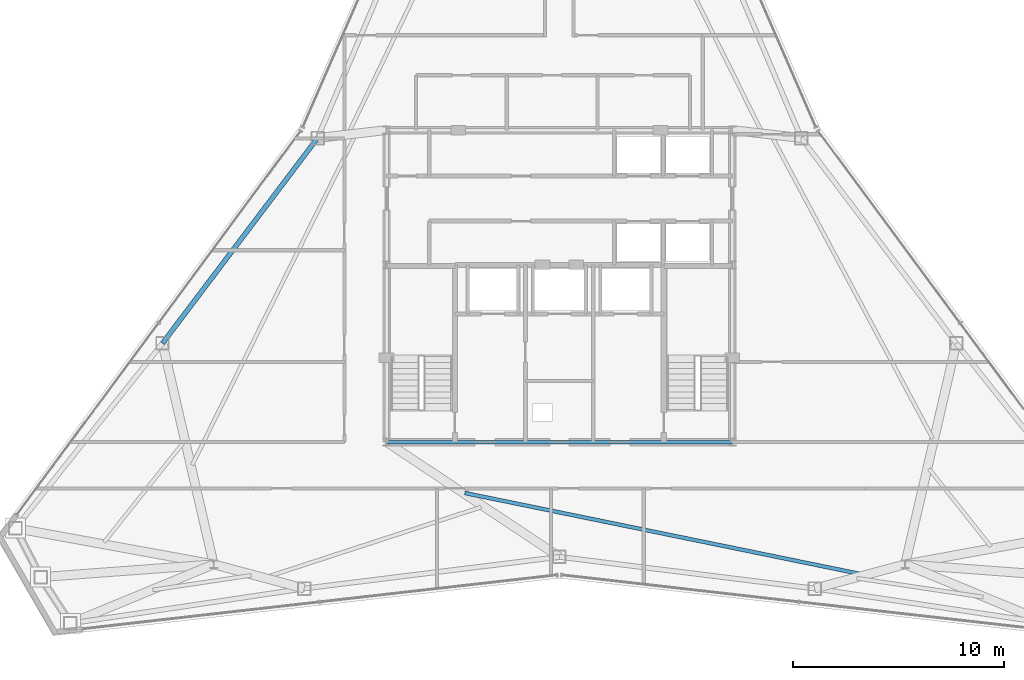
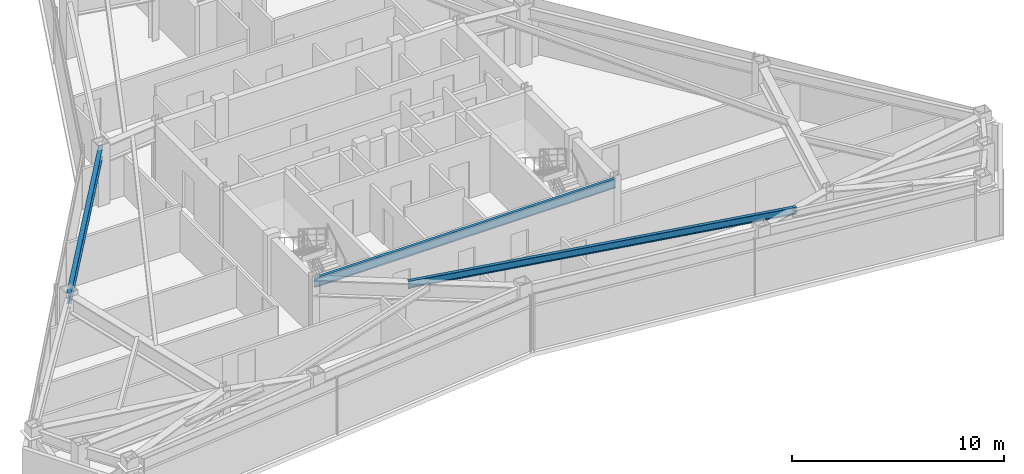
# One storey, part 4 of 11: 3 beams.
"""IFC4 building model written with IfcOpenShell, lengths in metres."""

from ifc_helpers import new_model, si_unit, direction, frame, origin, origin_2d, place, context, subcontext, project, spatial, i_section, extrude, material, material_profile, profile_set, type_object, element, save


model = new_model("IFC4")

# Units and contexts
model_context = context("Model", 3, precision=1e-05, world=origin(), true_north=direction((0.0, 1.0)))
body_context = subcontext(model_context, "Body", "Model", "MODEL_VIEW")
ifc_project = project(units=[si_unit("LENGTHUNIT", "METRE"), si_unit("AREAUNIT", "SQUARE_METRE"), si_unit("VOLUMEUNIT", "CUBIC_METRE"), si_unit("PLANEANGLEUNIT", "RADIAN"), si_unit("MASSUNIT", "GRAM", prefix="KILO")], contexts=[model_context])

# Site, building, storey
site_placement = place(None, origin())
site = spatial("IfcSite", under=ifc_project, at=site_placement, CompositionType="ELEMENT")
building_placement = place(site_placement, origin())
building = spatial("IfcBuilding", under=site, at=building_placement, Name="Varakhsha Concourse Tower", CompositionType="ELEMENT")
storey_placement = place(building_placement, frame((0.0, 0.0, 279.5)))
storey = spatial("IfcBuildingStorey", under=building, at=storey_placement, Name="L79", CompositionType="ELEMENT", Elevation=279.5)

# Beams
ifc_material = material(Name="Structural Steel ASTM A992 Grade 50", Category="steel")
ifc_material_profile_1 = material_profile(ifc_material, i_section(OverallWidth=0.177978515625, OverallDepth=0.406982421875, WebThickness=0.008056640625, FlangeThickness=0.012939453125, at=origin_2d()), Name="W16X40")
ifc_profile_set_1 = profile_set([ifc_material_profile_1], Name="Structural Steel ASTM A992 Grade 50")
beam_type_1 = type_object("IfcBeamType", Name="BM-JST-W16X40", PredefinedType="JOIST", material=ifc_profile_set_1)
beam_1_placement = place(storey_placement, frame((35.515869140625, 13.9814453125, 3.04638671875), z_axis=(0.979703686828, -0.200451206071, 0.0), x_axis=(0.200451206071, 0.979703686828, 0.0)))
element("IfcBeam", 1, at=beam_1_placement, inside=storey, type_object=beam_type_1, Name="BM-TJST-L79-11", PredefinedType="JOIST", context=body_context, shape_type="SweptSolid", body=[
    extrude(i_section(OverallWidth=0.177978515625, OverallDepth=0.406982421875, WebThickness=0.008056640625, FlangeThickness=0.012939453125, at=origin_2d()), origin(), (0.0, 0.0, 1.0), 19.2802734375),
])
ifc_material_profile_2 = material_profile(ifc_material, i_section(OverallWidth=0.1669921875, OverallDepth=0.534912109375, WebThickness=0.010009765625, FlangeThickness=0.01708984375, at=origin_2d()), Name="W21X57")
ifc_profile_set_2 = profile_set([ifc_material_profile_2], Name="Structural Steel ASTM A992 Grade 50")
beam_type_2 = type_object("IfcBeamType", Name="BM-RAD-W21X57", PredefinedType="BEAM", material=ifc_profile_set_2)
beam_2_placement = place(storey_placement, frame((31.800048828125, 16.39990234375, 2.982421875), z_axis=(1.0, 0.0, 0.0), x_axis=(0.0, 1.0, 0.0)))
element("IfcBeam", 2, at=beam_2_placement, inside=storey, type_object=beam_type_2, Name="BM-TCORE-L79-CS", PredefinedType="BEAM", context=body_context, shape_type="SweptSolid", body=[
    extrude(i_section(OverallWidth=0.1669921875, OverallDepth=0.534912109375, WebThickness=0.010009765625, FlangeThickness=0.01708984375, at=origin_2d()), origin(), (0.0, 0.0, 1.0), 16.39990234375),
])
ifc_material_profile_3 = material_profile(ifc_material, i_section(OverallWidth=0.22900390625, OverallDepth=0.612060546875, WebThickness=0.011962890625, FlangeThickness=0.02001953125, at=origin_2d()), Name="W24X84")
ifc_profile_set_3 = profile_set([ifc_material_profile_3], Name="Structural Steel ASTM A992 Grade 50")
beam_type_3 = type_object("IfcBeamType", Name="BM-SPAN-W24X84", PredefinedType="SPANDREL", material=ifc_profile_set_3)
beam_3_placement = place(storey_placement, frame((28.528076171875, 30.8232421875, 2.944091796875), z_axis=(-0.60276855687, -0.797916077572, 0.0), x_axis=(0.797916077572, -0.60276855687, 0.0)))
element("IfcBeam", 3, at=beam_3_placement, inside=storey, type_object=beam_type_3, Name="BM-SPAN-L79-05", PredefinedType="SPANDREL", context=body_context, shape_type="SweptSolid", body=[
    extrude(i_section(OverallWidth=0.22900390625, OverallDepth=0.612060546875, WebThickness=0.011962890625, FlangeThickness=0.02001953125, at=origin_2d()), origin(), (0.0, 0.0, 1.0), 12.202880859375),
])

save(model, "model.ifc")
